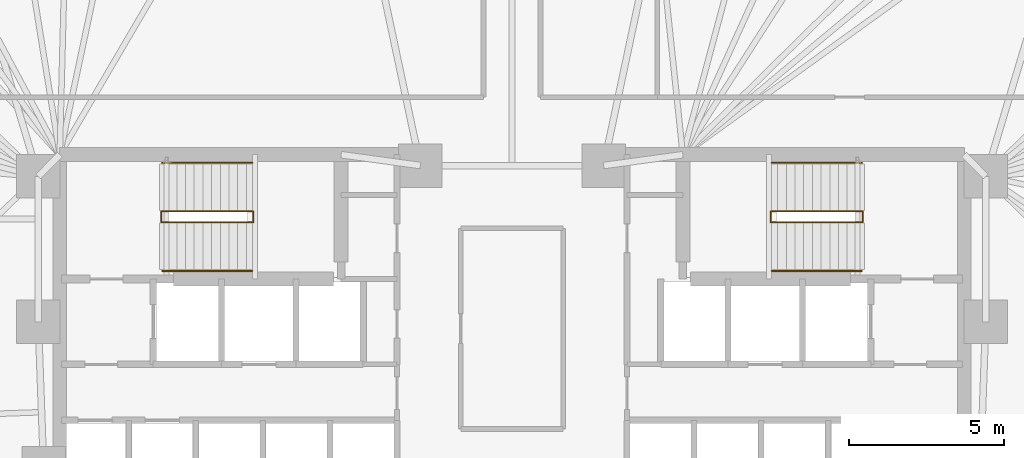
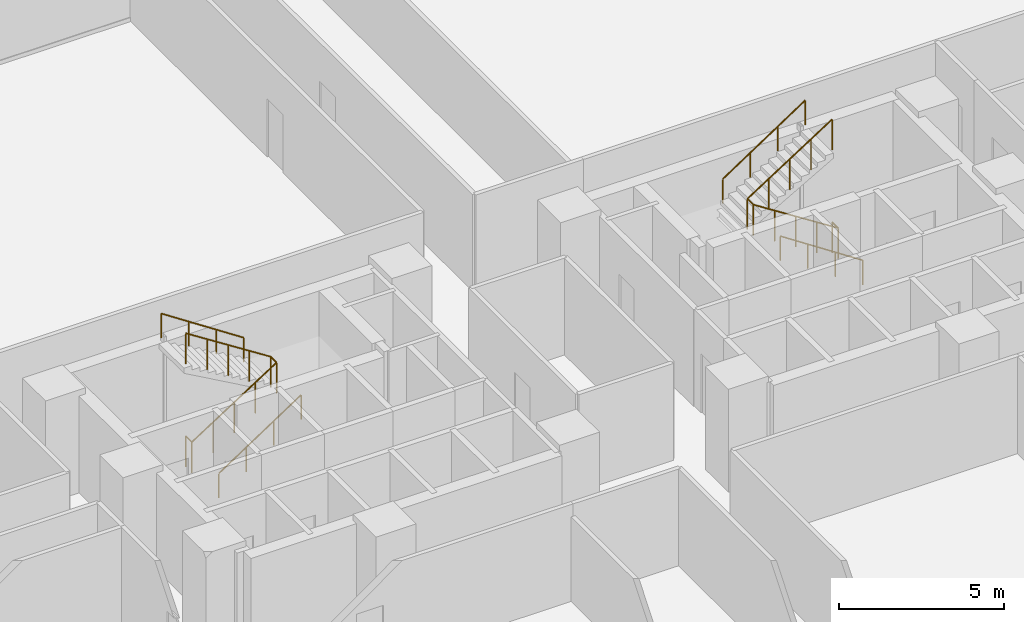
# One storey, part 17 of 17: 6 railings.
"""IFC4 building model written with IfcOpenShell, lengths in metres."""

from ifc_helpers import new_model, si_unit, direction, frame, origin, origin_2d, place, context, subcontext, project, spatial, circle, extrude, material, type_object, element, save


model = new_model("IFC4")

# Units and contexts
model_context = context("Model", 3, precision=1e-05, world=origin(), true_north=direction((0.0, 1.0)))
body_context = subcontext(model_context, "Body", "Model", "MODEL_VIEW")
ifc_project = project(units=[si_unit("LENGTHUNIT", "METRE"), si_unit("AREAUNIT", "SQUARE_METRE"), si_unit("VOLUMEUNIT", "CUBIC_METRE"), si_unit("PLANEANGLEUNIT", "RADIAN"), si_unit("MASSUNIT", "GRAM", prefix="KILO")], contexts=[model_context])

# Site, building, storey
site_placement = place(None, origin())
site = spatial("IfcSite", under=ifc_project, at=site_placement, CompositionType="ELEMENT")
building_placement = place(site_placement, origin())
building = spatial("IfcBuilding", under=site, at=building_placement, Name="Menara Jurai Vektor", CompositionType="ELEMENT")
storey_placement = place(building_placement, frame((0.0, 0.0, 29.39990234375)))
storey = spatial("IfcBuildingStorey", under=building, at=storey_placement, Name="L06", CompositionType="ELEMENT", Elevation=29.39990234375)

# Railings
ifc_material_1 = material(Name="Painted Galvanised Steel Balustrade", Category="steel")
railing_type_1 = type_object("IfcRailingType", Name="RAIL-STAIR-GUARD", PredefinedType="GUARDRAIL", material=ifc_material_1)
railing_1_placement = place(storey_placement, frame((-11.2900390625, 3.780029296875, 0.0)))
element("IfcRailing", 1, at=railing_1_placement, inside=storey, type_object=railing_type_1, Name="ST1 Stair Guardrail 1 L06", PredefinedType="GUARDRAIL", context=body_context, shape_type="SweptSolid", body=[
    extrude(circle(Radius=0.02392578125, at=origin_2d()), frame((0.0, 0.0, 1.1259765625), z_axis=(0.0, -1.0, 0.0), x_axis=(1.0, 0.0, 0.0)), (0.0, 0.0, 1.0), 0.360107421875),
    extrude(circle(Radius=0.02392578125, at=origin_2d()), frame((0.0, -0.360107421875, 1.1259765625), z_axis=(0.841525601958, 0.0, 0.540217235239), x_axis=(0.0, 1.0, 0.0)), (0.0, 0.0, 1.0), 3.517333984375),
    extrude(circle(Radius=0.02392578125, at=origin_2d()), frame((2.9599609375, -0.360107421875, 3.02587890625), z_axis=(0.0, 1.0, 0.0), x_axis=(-1.0, 0.0, 0.0)), (0.0, 0.0, 1.0), 0.360107421875),
    extrude(circle(Radius=0.02392578125, at=origin_2d()), frame((2.9599609375, 0.0, 3.02587890625), z_axis=(-0.841557155905, 0.0, 0.540168078791), x_axis=(0.0, -1.0, 0.0)), (0.0, 0.0, 1.0), 3.517333984375),
    extrude(circle(Radius=0.02099609375, at=origin_2d()), origin(), (0.0, 0.0, 1.0), 1.101806640625),
    extrude(circle(Radius=0.02099609375, at=origin_2d()), frame((0.0, -0.360107421875, 0.0)), (0.0, 0.0, 1.0), 1.101806640625),
    extrude(circle(Radius=0.02099609375, at=origin_2d()), frame((0.739990234375, -0.360107421875, 0.47509765625)), (0.0, 0.0, 1.0), 1.101806640625),
    extrude(circle(Radius=0.02099609375, at=origin_2d()), frame((1.47998046875, -0.360107421875, 0.9501953125)), (0.0, 0.0, 1.0), 1.101806640625),
    extrude(circle(Radius=0.02099609375, at=origin_2d()), frame((2.219970703125, -0.360107421875, 1.425048828125)), (0.0, 0.0, 1.0), 1.101806640625),
    extrude(circle(Radius=0.02099609375, at=origin_2d()), frame((2.9599609375, -0.360107421875, 1.900146484375)), (0.0, 0.0, 1.0), 1.101806640625),
    extrude(circle(Radius=0.02099609375, at=origin_2d()), frame((2.9599609375, 0.0, 1.900146484375)), (0.0, 0.0, 1.0), 1.101806640625),
    extrude(circle(Radius=0.02099609375, at=origin_2d()), frame((2.219970703125, 0.0, 2.375)), (0.0, 0.0, 1.0), 1.101806640625),
    extrude(circle(Radius=0.02099609375, at=origin_2d()), frame((1.47998046875, 0.0, 2.85009765625)), (0.0, 0.0, 1.0), 1.101806640625),
    extrude(circle(Radius=0.02099609375, at=origin_2d()), frame((0.739990234375, 0.0, 3.3251953125)), (0.0, 0.0, 1.0), 1.101806640625),
    extrude(circle(Radius=0.02099609375, at=origin_2d()), frame((0.0, 0.0, 3.800048828125)), (0.0, 0.0, 1.0), 1.101806640625),
])
railing_2_placement = place(storey_placement, frame((11.2900390625, 3.780029296875, 0.0)))
element("IfcRailing", 2, at=railing_2_placement, inside=storey, type_object=railing_type_1, Name="ST2 Stair Guardrail 1 L06", PredefinedType="GUARDRAIL", context=body_context, shape_type="SweptSolid", body=[
    extrude(circle(Radius=0.02392578125, at=origin_2d()), frame((0.0, 0.0, 1.1259765625), z_axis=(0.0, -1.0, 0.0), x_axis=(1.0, 0.0, 0.0)), (0.0, 0.0, 1.0), 0.360107421875),
    extrude(circle(Radius=0.02392578125, at=origin_2d()), frame((0.0, -0.360107421875, 1.1259765625), z_axis=(-0.841525601958, 0.0, 0.540217235239), x_axis=(0.0, -1.0, 0.0)), (0.0, 0.0, 1.0), 3.517333984375),
    extrude(circle(Radius=0.02392578125, at=origin_2d()), frame((-2.9599609375, -0.360107421875, 3.02587890625), z_axis=(0.0, 1.0, 0.0), x_axis=(-1.0, 0.0, 0.0)), (0.0, 0.0, 1.0), 0.360107421875),
    extrude(circle(Radius=0.02392578125, at=origin_2d()), frame((-2.9599609375, 0.0, 3.02587890625), z_axis=(0.841557155905, 0.0, 0.540168078791), x_axis=(0.0, 1.0, 0.0)), (0.0, 0.0, 1.0), 3.517333984375),
    extrude(circle(Radius=0.02099609375, at=origin_2d()), origin(), (0.0, 0.0, 1.0), 1.101806640625),
    extrude(circle(Radius=0.02099609375, at=origin_2d()), frame((0.0, -0.360107421875, 0.0)), (0.0, 0.0, 1.0), 1.101806640625),
    extrude(circle(Radius=0.02099609375, at=origin_2d()), frame((-0.739990234375, -0.360107421875, 0.47509765625)), (0.0, 0.0, 1.0), 1.101806640625),
    extrude(circle(Radius=0.02099609375, at=origin_2d()), frame((-1.47998046875, -0.360107421875, 0.9501953125)), (0.0, 0.0, 1.0), 1.101806640625),
    extrude(circle(Radius=0.02099609375, at=origin_2d()), frame((-2.219970703125, -0.360107421875, 1.425048828125)), (0.0, 0.0, 1.0), 1.101806640625),
    extrude(circle(Radius=0.02099609375, at=origin_2d()), frame((-2.9599609375, -0.360107421875, 1.900146484375)), (0.0, 0.0, 1.0), 1.101806640625),
    extrude(circle(Radius=0.02099609375, at=origin_2d()), frame((-2.9599609375, 0.0, 1.900146484375)), (0.0, 0.0, 1.0), 1.101806640625),
    extrude(circle(Radius=0.02099609375, at=origin_2d()), frame((-2.219970703125, 0.0, 2.375)), (0.0, 0.0, 1.0), 1.101806640625),
    extrude(circle(Radius=0.02099609375, at=origin_2d()), frame((-1.47998046875, 0.0, 2.85009765625)), (0.0, 0.0, 1.0), 1.101806640625),
    extrude(circle(Radius=0.02099609375, at=origin_2d()), frame((-0.739990234375, 0.0, 3.3251953125)), (0.0, 0.0, 1.0), 1.101806640625),
    extrude(circle(Radius=0.02099609375, at=origin_2d()), frame((0.0, 0.0, 3.800048828125)), (0.0, 0.0, 1.0), 1.101806640625),
])
ifc_material_2 = material(Name="Brushed Stainless Steel Handrail", Category="steel")
railing_type_2 = type_object("IfcRailingType", Name="RAIL-STAIR-HAND", PredefinedType="HANDRAIL", material=ifc_material_2)
railing_3_placement = place(storey_placement, frame((-11.25, 1.860107421875, 0.0)))
element("IfcRailing", 3, at=railing_3_placement, inside=storey, type_object=railing_type_2, Name="ST1 Stair Handrail 1 L06", PredefinedType="HANDRAIL", context=body_context, shape_type="SweptSolid", body=[
    extrude(circle(Radius=0.02392578125, at=origin_2d()), frame((0.0, 0.0, 0.89599609375), z_axis=(0.834686171885, 0.0, 0.550725879602), x_axis=(0.0, 1.0, 0.0)), (0.0, 0.0, 1.0), 3.4501953125),
    extrude(circle(Radius=0.02099609375, at=origin_2d()), origin(), (0.0, 0.0, 1.0), 0.871826171875),
    extrude(circle(Radius=0.02099609375, at=origin_2d()), frame((0.9599609375, 0.0, 0.63330078125)), (0.0, 0.0, 1.0), 0.871826171875),
    extrude(circle(Radius=0.02099609375, at=origin_2d()), frame((1.919921875, 0.0, 1.266845703125)), (0.0, 0.0, 1.0), 0.871826171875),
    extrude(circle(Radius=0.02099609375, at=origin_2d()), frame((2.8798828125, 0.0, 1.900146484375)), (0.0, 0.0, 1.0), 0.871826171875),
])
railing_4_placement = place(storey_placement, frame((-8.3701171875, 5.340087890625, 1.900146484375)))
element("IfcRailing", 4, at=railing_4_placement, inside=storey, type_object=railing_type_2, Name="ST1 Stair Handrail 2 L06", PredefinedType="HANDRAIL", context=body_context, shape_type="SweptSolid", body=[
    extrude(circle(Radius=0.02392578125, at=origin_2d()), frame((0.0, 0.0, 0.89599609375), z_axis=(-0.834718698933, 0.0, 0.550676578085), x_axis=(0.0, -1.0, 0.0)), (0.0, 0.0, 1.0), 3.4501953125),
    extrude(circle(Radius=0.02099609375, at=origin_2d()), origin(), (0.0, 0.0, 1.0), 0.871826171875),
    extrude(circle(Radius=0.02099609375, at=origin_2d()), frame((-0.9599609375, 0.0, 0.63330078125)), (0.0, 0.0, 1.0), 0.871826171875),
    extrude(circle(Radius=0.02099609375, at=origin_2d()), frame((-1.919921875, 0.0, 1.2666015625)), (0.0, 0.0, 1.0), 0.871826171875),
    extrude(circle(Radius=0.02099609375, at=origin_2d()), frame((-2.8798828125, 0.0, 1.89990234375)), (0.0, 0.0, 1.0), 0.871826171875),
])
railing_5_placement = place(storey_placement, frame((11.25, 1.860107421875, 0.0)))
element("IfcRailing", 5, at=railing_5_placement, inside=storey, type_object=railing_type_2, Name="ST2 Stair Handrail 1 L06", PredefinedType="HANDRAIL", context=body_context, shape_type="SweptSolid", body=[
    extrude(circle(Radius=0.02392578125, at=origin_2d()), frame((0.0, 0.0, 0.89599609375), z_axis=(-0.834686171885, 0.0, 0.550725879602), x_axis=(0.0, -1.0, 0.0)), (0.0, 0.0, 1.0), 3.4501953125),
    extrude(circle(Radius=0.02099609375, at=origin_2d()), origin(), (0.0, 0.0, 1.0), 0.871826171875),
    extrude(circle(Radius=0.02099609375, at=origin_2d()), frame((-0.9599609375, 0.0, 0.63330078125)), (0.0, 0.0, 1.0), 0.871826171875),
    extrude(circle(Radius=0.02099609375, at=origin_2d()), frame((-1.919921875, 0.0, 1.266845703125)), (0.0, 0.0, 1.0), 0.871826171875),
    extrude(circle(Radius=0.02099609375, at=origin_2d()), frame((-2.8798828125, 0.0, 1.900146484375)), (0.0, 0.0, 1.0), 0.871826171875),
])
railing_6_placement = place(storey_placement, frame((8.3701171875, 5.340087890625, 1.900146484375)))
element("IfcRailing", 6, at=railing_6_placement, inside=storey, type_object=railing_type_2, Name="ST2 Stair Handrail 2 L06", PredefinedType="HANDRAIL", context=body_context, shape_type="SweptSolid", body=[
    extrude(circle(Radius=0.02392578125, at=origin_2d()), frame((0.0, 0.0, 0.89599609375), z_axis=(0.834718698933, 0.0, 0.550676578085), x_axis=(0.0, 1.0, 0.0)), (0.0, 0.0, 1.0), 3.4501953125),
    extrude(circle(Radius=0.02099609375, at=origin_2d()), origin(), (0.0, 0.0, 1.0), 0.871826171875),
    extrude(circle(Radius=0.02099609375, at=origin_2d()), frame((0.9599609375, 0.0, 0.63330078125)), (0.0, 0.0, 1.0), 0.871826171875),
    extrude(circle(Radius=0.02099609375, at=origin_2d()), frame((1.919921875, 0.0, 1.2666015625)), (0.0, 0.0, 1.0), 0.871826171875),
    extrude(circle(Radius=0.02099609375, at=origin_2d()), frame((2.8798828125, 0.0, 1.89990234375)), (0.0, 0.0, 1.0), 0.871826171875),
])

save(model, "model.ifc")
